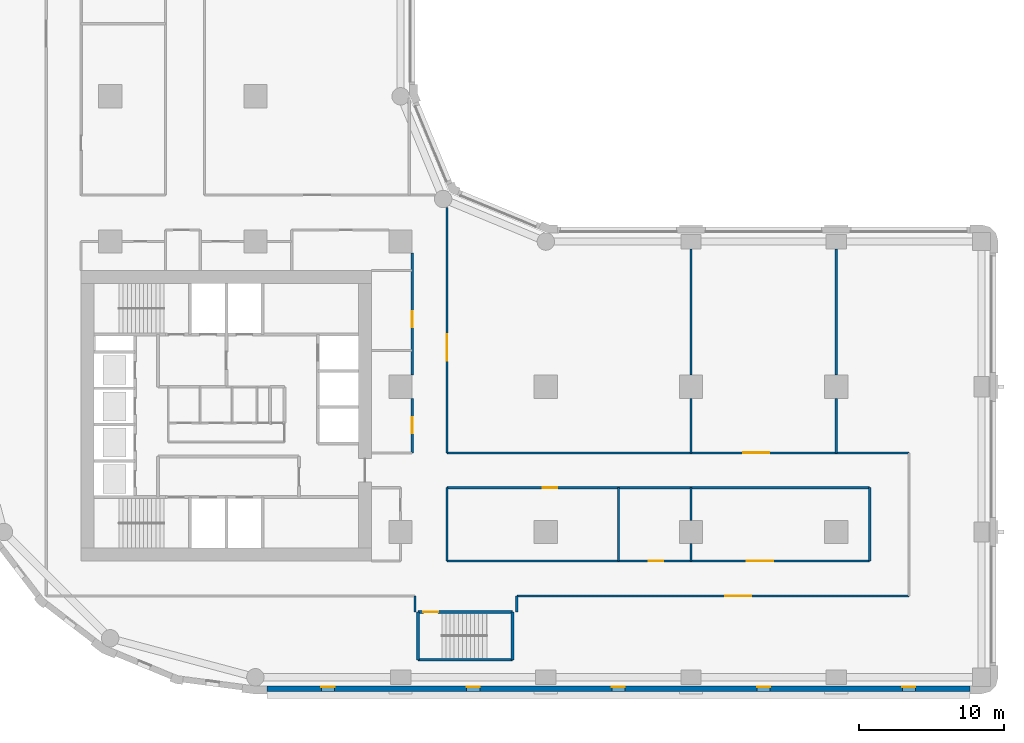
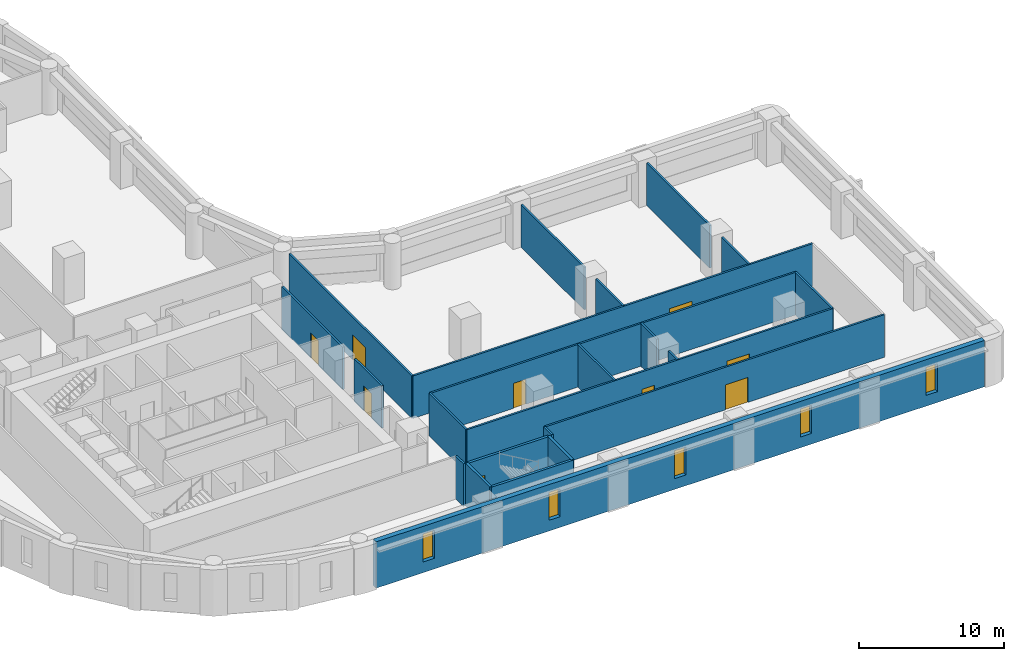
# One storey, part 4 of 10: 23 walls, 9 doors, 5 windows, 14 openings.
"""IFC4 building model written with IfcOpenShell, lengths in metres."""

from ifc_helpers import new_model, si_unit, direction, frame, frame_2d, origin, place, context, subcontext, project, spatial, rectangle, extrude, material, layer, layer_set, type_object, element, fill, save


model = new_model("IFC4")

# Units and contexts
model_context = context("Model", 3, precision=1e-05, world=origin(), true_north=direction((0.0, 1.0)))
body_context = subcontext(model_context, "Body", "Model", "MODEL_VIEW")
ifc_project = project(units=[si_unit("LENGTHUNIT", "METRE"), si_unit("AREAUNIT", "SQUARE_METRE"), si_unit("VOLUMEUNIT", "CUBIC_METRE"), si_unit("PLANEANGLEUNIT", "RADIAN"), si_unit("MASSUNIT", "GRAM", prefix="KILO")], contexts=[model_context])

# Site, building, storey
site_placement = place(None, origin())
site = spatial("IfcSite", under=ifc_project, at=site_placement, CompositionType="ELEMENT")
building_placement = place(site_placement, origin())
building = spatial("IfcBuilding", under=site, at=building_placement, Name="Qaws Garden Tower", CompositionType="ELEMENT")
storey_placement = place(building_placement, frame((0.0, 0.0, 39.300048828125)))
storey = spatial("IfcBuildingStorey", under=building, at=storey_placement, Name="L09", CompositionType="ELEMENT", Elevation=39.300048828125)

# Wall, openings, windows
ifc_material_1 = material(Name="Clay facing brick masonry", Category="masonry")
ifc_layer_1 = layer(ifc_material_1, 0.39990234375)
ifc_layer_set_1 = layer_set([ifc_layer_1], Name="Clay facing brick masonry")
wall_type_1 = type_object("IfcWallType", Name="Brick infill wall 400", PredefinedType="SOLIDWALL", material=ifc_layer_set_1)
wall_1_placement = place(storey_placement, frame((20.800048828125, -0.800048828125, 0.0), z_axis=(0.0, 0.0, 1.0), x_axis=(1.0, 0.0, 0.0)))
wall_1 = element("IfcWall", 1, at=wall_1_placement, inside=storey, type_object=wall_type_1, Name="E-L09-infill-00", PredefinedType="SOLIDWALL", context=body_context, shape_type="SweptSolid", body=[
    extrude(rectangle(XDim=48.39990234375, YDim=0.39990234375, at=frame_2d((24.199951171875, 0.0))), origin(), (0.0, 0.0, 1.0), 3.89990234375),
])
opening_1_placement = place(wall_1_placement, frame((3.75, 0.0, 0.89990234375)))
opening_1 = element("IfcOpeningElement", 2, at=opening_1_placement, cuts=wall_1, Name="Opening W09", PredefinedType="OPENING", context=body_context, shape_type="SweptSolid", body=[
    extrude(rectangle(XDim=0.89990234375, YDim=2.35009765625, at=frame_2d((0.449951171875, 1.175048828125))), frame((0.0, 0.2099609375, 0.0), z_axis=(0.0, -1.0, 0.0), x_axis=(1.0, 0.0, 0.0)), (0.0, 0.0, 1.0), 0.419921875),
])
opening_2_placement = place(wall_1_placement, frame((13.75, 0.0, 0.89990234375)))
opening_2 = element("IfcOpeningElement", 3, at=opening_2_placement, cuts=wall_1, Name="Opening W09", PredefinedType="OPENING", context=body_context, shape_type="SweptSolid", body=[
    extrude(rectangle(XDim=0.89990234375, YDim=2.35009765625, at=frame_2d((0.449951171875, 1.175048828125))), frame((0.0, 0.2099609375, 0.0), z_axis=(0.0, -1.0, 0.0), x_axis=(1.0, 0.0, 0.0)), (0.0, 0.0, 1.0), 0.419921875),
])
opening_3_placement = place(wall_1_placement, frame((23.75, 0.0, 0.89990234375)))
opening_3 = element("IfcOpeningElement", 4, at=opening_3_placement, cuts=wall_1, Name="Opening W09", PredefinedType="OPENING", context=body_context, shape_type="SweptSolid", body=[
    extrude(rectangle(XDim=0.89990234375, YDim=2.35009765625, at=frame_2d((0.449951171875, 1.175048828125))), frame((0.0, 0.2099609375, 0.0), z_axis=(0.0, -1.0, 0.0), x_axis=(1.0, 0.0, 0.0)), (0.0, 0.0, 1.0), 0.419921875),
])
opening_4_placement = place(wall_1_placement, frame((33.75, 0.0, 0.89990234375)))
opening_4 = element("IfcOpeningElement", 5, at=opening_4_placement, cuts=wall_1, Name="Opening W09", PredefinedType="OPENING", context=body_context, shape_type="SweptSolid", body=[
    extrude(rectangle(XDim=0.89990234375, YDim=2.35009765625, at=frame_2d((0.449951171875, 1.175048828125))), frame((0.0, 0.2099609375, 0.0), z_axis=(0.0, -1.0, 0.0), x_axis=(1.0, 0.0, 0.0)), (0.0, 0.0, 1.0), 0.419921875),
])
opening_5_placement = place(wall_1_placement, frame((43.75, 0.0, 0.89990234375)))
opening_5 = element("IfcOpeningElement", 6, at=opening_5_placement, cuts=wall_1, Name="Opening W09", PredefinedType="OPENING", context=body_context, shape_type="SweptSolid", body=[
    extrude(rectangle(XDim=0.89990234375, YDim=2.35009765625, at=frame_2d((0.449951171875, 1.175048828125))), frame((0.0, 0.2099609375, 0.0), z_axis=(0.0, -1.0, 0.0), x_axis=(1.0, 0.0, 0.0)), (0.0, 0.0, 1.0), 0.419921875),
])
ifc_material_2 = material(Name="Aluminium framed window, clear glazing", Category="aluminium")
window_type = type_object("IfcWindowType", Name="Slit window 900 x 2350", PartitioningType="SINGLE_PANEL", PredefinedType="WINDOW", material=ifc_material_2)
window_1_placement = place(opening_1_placement, origin())
window_1 = element("IfcWindow", 7, at=window_1_placement, inside=storey, type_object=window_type, Name="E-L09-window-00-0", OverallHeight=2.35009765625, OverallWidth=0.89990234375, PartitioningType="SINGLE_PANEL", PredefinedType="WINDOW", context=body_context, shape_type="SweptSolid", body=[
    extrude(rectangle(XDim=0.89990234375, YDim=2.35009765625, at=frame_2d((0.449951171875, 1.175048828125))), frame((0.0, 0.159912109375, 0.0), z_axis=(0.0, -1.0, 0.0), x_axis=(1.0, 0.0, 0.0)), (0.0, 0.0, 1.0), 0.06005859375),
])
fill(opening_1, window_1)
window_2_placement = place(opening_2_placement, origin())
window_2 = element("IfcWindow", 8, at=window_2_placement, inside=storey, type_object=window_type, Name="E-L09-window-01-0", OverallHeight=2.35009765625, OverallWidth=0.89990234375, PartitioningType="SINGLE_PANEL", PredefinedType="WINDOW", context=body_context, shape_type="SweptSolid", body=[
    extrude(rectangle(XDim=0.89990234375, YDim=2.35009765625, at=frame_2d((0.449951171875, 1.175048828125))), frame((0.0, 0.159912109375, 0.0), z_axis=(0.0, -1.0, 0.0), x_axis=(1.0, 0.0, 0.0)), (0.0, 0.0, 1.0), 0.06005859375),
])
fill(opening_2, window_2)
window_3_placement = place(opening_3_placement, origin())
window_3 = element("IfcWindow", 9, at=window_3_placement, inside=storey, type_object=window_type, Name="E-L09-window-02-0", OverallHeight=2.35009765625, OverallWidth=0.89990234375, PartitioningType="SINGLE_PANEL", PredefinedType="WINDOW", context=body_context, shape_type="SweptSolid", body=[
    extrude(rectangle(XDim=0.89990234375, YDim=2.35009765625, at=frame_2d((0.449951171875, 1.175048828125))), frame((0.0, 0.159912109375, 0.0), z_axis=(0.0, -1.0, 0.0), x_axis=(1.0, 0.0, 0.0)), (0.0, 0.0, 1.0), 0.06005859375),
])
fill(opening_3, window_3)
window_4_placement = place(opening_4_placement, origin())
window_4 = element("IfcWindow", 10, at=window_4_placement, inside=storey, type_object=window_type, Name="E-L09-window-03-0", OverallHeight=2.35009765625, OverallWidth=0.89990234375, PartitioningType="SINGLE_PANEL", PredefinedType="WINDOW", context=body_context, shape_type="SweptSolid", body=[
    extrude(rectangle(XDim=0.89990234375, YDim=2.35009765625, at=frame_2d((0.449951171875, 1.175048828125))), frame((0.0, 0.159912109375, 0.0), z_axis=(0.0, -1.0, 0.0), x_axis=(1.0, 0.0, 0.0)), (0.0, 0.0, 1.0), 0.06005859375),
])
fill(opening_4, window_4)
window_5_placement = place(opening_5_placement, origin())
window_5 = element("IfcWindow", 11, at=window_5_placement, inside=storey, type_object=window_type, Name="E-L09-window-04-0", OverallHeight=2.35009765625, OverallWidth=0.89990234375, PartitioningType="SINGLE_PANEL", PredefinedType="WINDOW", context=body_context, shape_type="SweptSolid", body=[
    extrude(rectangle(XDim=0.89990234375, YDim=2.35009765625, at=frame_2d((0.449951171875, 1.175048828125))), frame((0.0, 0.159912109375, 0.0), z_axis=(0.0, -1.0, 0.0), x_axis=(1.0, 0.0, 0.0)), (0.0, 0.0, 1.0), 0.06005859375),
])
fill(opening_5, window_5)

# Wall
ifc_material_3 = material(Name="Concrete C80", Category="concrete")
ifc_layer_2 = layer(ifc_material_3, 0.199951171875)
ifc_layer_set_2 = layer_set([ifc_layer_2], Name="Concrete C80")
wall_type_2 = type_object("IfcWallType", Name="Core shaft wall 200 C80", PredefinedType="SHEAR", material=ifc_layer_set_2)
wall_2_placement = place(storey_placement, frame((31.199951171875, 1.199951171875, 0.0), z_axis=(0.0, 0.0, 1.0), x_axis=(1.0, 0.0, 0.0)))
element("IfcWall", 12, at=wall_2_placement, inside=storey, type_object=wall_type_2, Name="Shaft wall", PredefinedType="SHEAR", context=body_context, shape_type="SweptSolid", body=[
    extrude(rectangle(XDim=6.5, YDim=0.199951171875, at=frame_2d((3.25, 0.0))), origin(), (0.0, 0.0, 1.0), 3.579833984375),
])

# Wall, opening, door
wall_3_placement = place(storey_placement, frame((31.199951171875, 4.5, 0.0), z_axis=(0.0, 0.0, 1.0), x_axis=(1.0, 0.0, 0.0)))
wall_3 = element("IfcWall", 13, at=wall_3_placement, inside=storey, type_object=wall_type_2, Name="Shaft wall", PredefinedType="SHEAR", context=body_context, shape_type="SweptSolid", body=[
    extrude(rectangle(XDim=6.5, YDim=0.199951171875, at=frame_2d((3.25, 0.0))), origin(), (0.0, 0.0, 1.0), 3.579833984375),
])
opening_6_placement = place(wall_3_placement, frame((0.375, 0.0, 0.0)))
opening_6 = element("IfcOpeningElement", 14, at=opening_6_placement, cuts=wall_3, Name="Opening SD12", PredefinedType="OPENING", context=body_context, shape_type="SweptSolid", body=[
    extrude(rectangle(XDim=1.0, YDim=2.10009765625, at=frame_2d((0.5, 1.050048828125))), frame((0.0, 0.10986328125, 0.0), z_axis=(0.0, -1.0, 0.0), x_axis=(1.0, 0.0, 0.0)), (0.0, 0.0, 1.0), 0.219970703125),
])
ifc_material_4 = material(Name="Steel S235", Category="steel")
door_type_1 = type_object("IfcDoorType", Name="Stair door 1000x2100", OperationType="SINGLE_SWING_RIGHT", PredefinedType="DOOR", material=ifc_material_4)
door_1_placement = place(opening_6_placement, frame((1.0, 0.0, 0.0), z_axis=(0.0, 0.0, 1.0), x_axis=(-1.0, 0.0, 0.0)))
door_1 = element("IfcDoor", 15, at=door_1_placement, inside=storey, type_object=door_type_1, Name="Stair 5 door", OperationType="SINGLE_SWING_RIGHT", OverallHeight=2.10009765625, OverallWidth=1.0, PredefinedType="DOOR", context=body_context, shape_type="SweptSolid", body=[
    extrude(rectangle(XDim=1.0, YDim=2.10009765625, at=frame_2d((0.5, 1.050048828125))), frame((0.0, 0.02490234375, 0.0), z_axis=(0.0, -1.0, 0.0), x_axis=(1.0, 0.0, 0.0)), (0.0, 0.0, 1.0), 0.050048828125),
])
fill(opening_6, door_1)

# Walls
for number, where, z_axis, x_axis, name in (
    (16, (31.199951171875, 1.199951171875, 0.0), (0.0, 0.0, 1.0), (0.0, 1.0, 0.0), "Shaft wall"),
    (17, (37.699951171875, 1.199951171875, 0.0), (0.0, 0.0, 1.0), (0.0, 1.0, 0.0), "Shaft wall"),
):
    element("IfcWall", number, at=place(storey_placement, frame(where, z_axis=z_axis, x_axis=x_axis)), inside=storey, type_object=wall_type_2, Name=name, PredefinedType="SHEAR", context=body_context, shape_type="SweptSolid", body=[
        extrude(rectangle(XDim=3.300048828125, YDim=0.199951171875, at=frame_2d((1.64990234375, 0.0))), origin(), (0.0, 0.0, 1.0), 3.579833984375),
    ])

# Wall, opening, door
ifc_material_5 = material(Name="Gypsum board partition")
ifc_layer_3 = layer(ifc_material_5, 0.14990234375)
ifc_layer_set_3 = layer_set([ifc_layer_3], Name="Gypsum board partition")
wall_type_3 = type_object("IfcWallType", Name="PARTITION 150 EI 60", PredefinedType="PARTITIONING", material=ifc_layer_set_3)
wall_4_placement = place(storey_placement, frame((30.800048828125, 15.449951171875, 0.0), z_axis=(0.0, 0.0, 1.0), x_axis=(0.0, 1.0, 0.0)))
wall_4 = element("IfcWall", 18, at=wall_4_placement, inside=storey, type_object=wall_type_3, Name="O-L09-wall-016", PredefinedType="PARTITIONING", context=body_context, shape_type="SweptSolid", body=[
    extrude(rectangle(XDim=3.75, YDim=0.14990234375, at=frame_2d((1.875, 0.0))), origin(), (0.0, 0.0, 1.0), 3.579833984375),
])
opening_7_placement = place(wall_4_placement, frame((1.35009765625, 0.0, 0.0)))
opening_7 = element("IfcOpeningElement", 19, at=opening_7_placement, cuts=wall_4, Name="Opening A318", PredefinedType="OPENING", context=body_context, shape_type="SweptSolid", body=[
    extrude(rectangle(XDim=1.10009765625, YDim=2.10009765625, at=frame_2d((0.550048828125, 1.050048828125))), frame((0.0, 0.0849609375, 0.0), z_axis=(0.0, -1.0, 0.0), x_axis=(1.0, 0.0, 0.0)), (0.0, 0.0, 1.0), 0.169921875),
])
ifc_material_6 = material(Name="Timber door leaf", Category="wood")
door_type_2 = type_object("IfcDoorType", Name="SERVICE ROOM DOOR 1100 X 2100", OperationType="SINGLE_SWING_LEFT", PredefinedType="DOOR", material=ifc_material_6)
door_2_placement = place(opening_7_placement, origin())
door_2 = element("IfcDoor", 20, at=door_2_placement, inside=storey, type_object=door_type_2, Name="O-L09-door-018", OperationType="SINGLE_SWING_RIGHT", OverallHeight=2.10009765625, OverallWidth=1.10009765625, PredefinedType="DOOR", context=body_context, shape_type="SweptSolid", body=[
    extrude(rectangle(XDim=1.10009765625, YDim=2.10009765625, at=frame_2d((0.550048828125, 1.050048828125))), frame((0.0, 0.02490234375, 0.0), z_axis=(0.0, -1.0, 0.0), x_axis=(1.0, 0.0, 0.0)), (0.0, 0.0, 1.0), 0.050048828125),
])
fill(opening_7, door_2)

wall_5_placement = place(storey_placement, frame((30.800048828125, 20.800048828125, 0.0), z_axis=(0.0, 0.0, 1.0), x_axis=(0.0, 1.0, 0.0)))
wall_5 = element("IfcWall", 21, at=wall_5_placement, inside=storey, type_object=wall_type_3, Name="O-L09-wall-017", PredefinedType="PARTITIONING", context=body_context, shape_type="SweptSolid", body=[
    extrude(rectangle(XDim=8.39990234375, YDim=0.14990234375, at=frame_2d((4.199951171875, 0.0))), origin(), (0.0, 0.0, 1.0), 3.579833984375),
])
opening_8_placement = place(wall_5_placement, frame((3.300048828125, 0.0, 0.0)))
opening_8 = element("IfcOpeningElement", 22, at=opening_8_placement, cuts=wall_5, Name="Opening A319", PredefinedType="OPENING", context=body_context, shape_type="SweptSolid", body=[
    extrude(rectangle(XDim=1.10009765625, YDim=2.10009765625, at=frame_2d((0.550048828125, 1.050048828125))), frame((0.0, 0.0849609375, 0.0), z_axis=(0.0, -1.0, 0.0), x_axis=(1.0, 0.0, 0.0)), (0.0, 0.0, 1.0), 0.169921875),
])
door_3_placement = place(opening_8_placement, origin())
door_3 = element("IfcDoor", 23, at=door_3_placement, inside=storey, type_object=door_type_2, Name="O-L09-door-019", OperationType="SINGLE_SWING_RIGHT", OverallHeight=2.10009765625, OverallWidth=1.10009765625, PredefinedType="DOOR", context=body_context, shape_type="SweptSolid", body=[
    extrude(rectangle(XDim=1.10009765625, YDim=2.10009765625, at=frame_2d((0.550048828125, 1.050048828125))), frame((0.0, 0.02490234375, 0.0), z_axis=(0.0, -1.0, 0.0), x_axis=(1.0, 0.0, 0.0)), (0.0, 0.0, 1.0), 0.050048828125),
])
fill(opening_8, door_3)

# Walls
wall_6_placement = place(storey_placement, frame((31.0, 4.5, 0.0), z_axis=(0.0, 0.0, 1.0), x_axis=(0.0, 1.0, 0.0)))
element("IfcWall", 24, at=wall_6_placement, inside=storey, type_object=wall_type_3, Name="O-L09-wall-018", PredefinedType="PARTITIONING", context=body_context, shape_type="SweptSolid", body=[
    extrude(rectangle(XDim=1.10009765625, YDim=0.14990234375, at=frame_2d((0.550048828125, 0.0))), origin(), (0.0, 0.0, 1.0), 3.579833984375),
])
wall_7_placement = place(storey_placement, frame((33.199951171875, 8.0, 0.0), z_axis=(0.0, 0.0, 1.0), x_axis=(0.0, 1.0, 0.0)))
element("IfcWall", 25, at=wall_7_placement, inside=storey, type_object=wall_type_3, Name="O-L09-wall-019", PredefinedType="PARTITIONING", context=body_context, shape_type="SweptSolid", body=[
    extrude(rectangle(XDim=5.050048828125, YDim=0.14990234375, at=frame_2d((2.52490234375, 0.0))), origin(), (0.0, 0.0, 1.0), 3.579833984375),
])

# Wall, opening, door
wall_8_placement = place(storey_placement, frame((33.199951171875, 15.449951171875, 0.0), z_axis=(0.0, 0.0, 1.0), x_axis=(0.0, 1.0, 0.0)))
wall_8 = element("IfcWall", 26, at=wall_8_placement, inside=storey, type_object=wall_type_3, Name="O-L09-wall-020", PredefinedType="PARTITIONING", context=body_context, shape_type="SweptSolid", body=[
    extrude(rectangle(XDim=16.912109375, YDim=0.14990234375, at=frame_2d((8.4560546875, 0.0))), origin(), (0.0, 0.0, 1.0), 3.579833984375),
])
opening_9_placement = place(wall_8_placement, frame((6.35009765625, 0.0, 0.0)))
opening_9 = element("IfcOpeningElement", 27, at=opening_9_placement, cuts=wall_8, Name="Opening A315", PredefinedType="OPENING", context=body_context, shape_type="SweptSolid", body=[
    extrude(rectangle(XDim=1.800048828125, YDim=2.10009765625, at=frame_2d((0.89990234375, 1.050048828125))), frame((0.0, 0.0849609375, 0.0), z_axis=(0.0, -1.0, 0.0), x_axis=(1.0, 0.0, 0.0)), (0.0, 0.0, 1.0), 0.169921875),
])
ifc_material_7 = material(Name="Timber door leaf", Category="wood")
door_type_3 = type_object("IfcDoorType", Name="DOUBLE DOOR 1800 X 2100", OperationType="DOUBLE_DOOR_SINGLE_SWING", PredefinedType="DOOR", material=ifc_material_7)
door_4_placement = place(opening_9_placement, frame((1.800048828125, 0.0, 0.0), z_axis=(0.0, 0.0, 1.0), x_axis=(-1.0, 0.0, 0.0)))
door_4 = element("IfcDoor", 28, at=door_4_placement, inside=storey, type_object=door_type_3, Name="O-L09-door-015", OperationType="DOUBLE_DOOR_SINGLE_SWING", OverallHeight=2.10009765625, OverallWidth=1.800048828125, PredefinedType="DOOR", context=body_context, shape_type="SweptSolid", body=[
    extrude(rectangle(XDim=1.800048828125, YDim=2.10009765625, at=frame_2d((0.89990234375, 1.050048828125))), frame((0.0, 0.02490234375, 0.0), z_axis=(0.0, -1.0, 0.0), x_axis=(1.0, 0.0, 0.0)), (0.0, 0.0, 1.0), 0.050048828125),
])
fill(opening_9, door_4)

# Walls
wall_9_placement = place(storey_placement, frame((38.0, 4.5, 0.0), z_axis=(0.0, 0.0, 1.0), x_axis=(0.0, 1.0, 0.0)))
element("IfcWall", 29, at=wall_9_placement, inside=storey, type_object=wall_type_3, Name="O-L09-wall-021", PredefinedType="PARTITIONING", context=body_context, shape_type="SweptSolid", body=[
    extrude(rectangle(XDim=1.10009765625, YDim=0.14990234375, at=frame_2d((0.550048828125, 0.0))), origin(), (0.0, 0.0, 1.0), 3.579833984375),
])
wall_10_placement = place(storey_placement, frame((45.0, 8.0, 0.0), z_axis=(0.0, 0.0, 1.0), x_axis=(0.0, 1.0, 0.0)))
element("IfcWall", 30, at=wall_10_placement, inside=storey, type_object=wall_type_3, Name="O-L09-wall-022", PredefinedType="PARTITIONING", context=body_context, shape_type="SweptSolid", body=[
    extrude(rectangle(XDim=5.050048828125, YDim=0.14990234375, at=frame_2d((2.52490234375, 0.0))), origin(), (0.0, 0.0, 1.0), 3.579833984375),
])
wall_11_placement = place(storey_placement, frame((50.0, 8.0, 0.0), z_axis=(0.0, 0.0, 1.0), x_axis=(0.0, 1.0, 0.0)))
element("IfcWall", 31, at=wall_11_placement, inside=storey, type_object=wall_type_3, Name="O-L09-wall-023", PredefinedType="PARTITIONING", context=body_context, shape_type="SweptSolid", body=[
    extrude(rectangle(XDim=1.199951171875, YDim=0.14990234375, at=frame_2d((0.60009765625, 0.0))), origin(), (0.0, 0.0, 1.0), 3.579833984375),
])
wall_12_placement = place(storey_placement, frame((50.0, 10.800048828125, 0.0), z_axis=(0.0, 0.0, 1.0), x_axis=(0.0, 1.0, 0.0)))
element("IfcWall", 32, at=wall_12_placement, inside=storey, type_object=wall_type_3, Name="O-L09-wall-024", PredefinedType="PARTITIONING", context=body_context, shape_type="SweptSolid", body=[
    extrude(rectangle(XDim=2.25, YDim=0.14990234375, at=frame_2d((1.125, 0.0))), origin(), (0.0, 0.0, 1.0), 3.579833984375),
])
wall_13_placement = place(storey_placement, frame((50.0, 15.449951171875, 0.0), z_axis=(0.0, 0.0, 1.0), x_axis=(0.0, 1.0, 0.0)))
element("IfcWall", 33, at=wall_13_placement, inside=storey, type_object=wall_type_3, Name="O-L09-wall-025", PredefinedType="PARTITIONING", context=body_context, shape_type="SweptSolid", body=[
    extrude(rectangle(XDim=3.75, YDim=0.14990234375, at=frame_2d((1.875, 0.0))), origin(), (0.0, 0.0, 1.0), 3.579833984375),
])
wall_14_placement = place(storey_placement, frame((50.0, 20.800048828125, 0.0), z_axis=(0.0, 0.0, 1.0), x_axis=(0.0, 1.0, 0.0)))
element("IfcWall", 34, at=wall_14_placement, inside=storey, type_object=wall_type_3, Name="O-L09-wall-026", PredefinedType="PARTITIONING", context=body_context, shape_type="SweptSolid", body=[
    extrude(rectangle(XDim=8.699951171875, YDim=0.14990234375, at=frame_2d((4.35009765625, 0.0))), origin(), (0.0, 0.0, 1.0), 3.579833984375),
])
wall_15_placement = place(storey_placement, frame((60.0, 15.449951171875, 0.0), z_axis=(0.0, 0.0, 1.0), x_axis=(0.0, 1.0, 0.0)))
element("IfcWall", 35, at=wall_15_placement, inside=storey, type_object=wall_type_3, Name="O-L09-wall-027", PredefinedType="PARTITIONING", context=body_context, shape_type="SweptSolid", body=[
    extrude(rectangle(XDim=3.75, YDim=0.14990234375, at=frame_2d((1.875, 0.0))), origin(), (0.0, 0.0, 1.0), 3.579833984375),
])
wall_16_placement = place(storey_placement, frame((60.0, 20.800048828125, 0.0), z_axis=(0.0, 0.0, 1.0), x_axis=(0.0, 1.0, 0.0)))
element("IfcWall", 36, at=wall_16_placement, inside=storey, type_object=wall_type_3, Name="O-L09-wall-028", PredefinedType="PARTITIONING", context=body_context, shape_type="SweptSolid", body=[
    extrude(rectangle(XDim=8.699951171875, YDim=0.14990234375, at=frame_2d((4.35009765625, 0.0))), origin(), (0.0, 0.0, 1.0), 3.579833984375),
])
wall_17_placement = place(storey_placement, frame((62.300048828125, 8.0, 0.0), z_axis=(0.0, 0.0, 1.0), x_axis=(0.0, 1.0, 0.0)))
element("IfcWall", 37, at=wall_17_placement, inside=storey, type_object=wall_type_3, Name="O-L09-wall-029", PredefinedType="PARTITIONING", context=body_context, shape_type="SweptSolid", body=[
    extrude(rectangle(XDim=5.050048828125, YDim=0.14990234375, at=frame_2d((2.52490234375, 0.0))), origin(), (0.0, 0.0, 1.0), 3.579833984375),
])

# Wall, opening, door
wall_18_placement = place(storey_placement, frame((38.0, 5.60009765625, 0.0), z_axis=(0.0, 0.0, 1.0), x_axis=(1.0, 0.0, 0.0)))
wall_18 = element("IfcWall", 38, at=wall_18_placement, inside=storey, type_object=wall_type_3, Name="O-L09-wall-032", PredefinedType="PARTITIONING", context=body_context, shape_type="SweptSolid", body=[
    extrude(rectangle(XDim=27.0, YDim=0.14990234375, at=frame_2d((13.5, 0.0))), origin(), (0.0, 0.0, 1.0), 3.579833984375),
])
opening_10_placement = place(wall_18_placement, frame((14.35009765625, 0.0, 0.0)))
opening_10 = element("IfcOpeningElement", 39, at=opening_10_placement, cuts=wall_18, Name="Opening A302", PredefinedType="OPENING", context=body_context, shape_type="SweptSolid", body=[
    extrude(rectangle(XDim=1.800048828125, YDim=2.10009765625, at=frame_2d((0.89990234375, 1.050048828125))), frame((0.0, 0.0849609375, 0.0), z_axis=(0.0, -1.0, 0.0), x_axis=(1.0, 0.0, 0.0)), (0.0, 0.0, 1.0), 0.169921875),
])
door_5_placement = place(opening_10_placement, frame((1.800048828125, 0.0, 0.0), z_axis=(0.0, 0.0, 1.0), x_axis=(-1.0, 0.0, 0.0)))
door_5 = element("IfcDoor", 40, at=door_5_placement, inside=storey, type_object=door_type_3, Name="O-L09-door-002", OperationType="DOUBLE_DOOR_SINGLE_SWING", OverallHeight=2.10009765625, OverallWidth=1.800048828125, PredefinedType="DOOR", context=body_context, shape_type="SweptSolid", body=[
    extrude(rectangle(XDim=1.800048828125, YDim=2.10009765625, at=frame_2d((0.89990234375, 1.050048828125))), frame((0.0, 0.02490234375, 0.0), z_axis=(0.0, -1.0, 0.0), x_axis=(1.0, 0.0, 0.0)), (0.0, 0.0, 1.0), 0.050048828125),
])
fill(opening_10, door_5)

# Wall, openings, doors
wall_19_placement = place(storey_placement, frame((33.199951171875, 8.0, 0.0), z_axis=(0.0, 0.0, 1.0), x_axis=(1.0, 0.0, 0.0)))
wall_19 = element("IfcWall", 41, at=wall_19_placement, inside=storey, type_object=wall_type_3, Name="O-L09-wall-034", PredefinedType="PARTITIONING", context=body_context, shape_type="SweptSolid", body=[
    extrude(rectangle(XDim=29.10009765625, YDim=0.14990234375, at=frame_2d((14.550048828125, 0.0))), origin(), (0.0, 0.0, 1.0), 3.579833984375),
])
opening_11_placement = place(wall_19_placement, frame((13.89990234375, 0.0, 0.0)))
opening_11 = element("IfcOpeningElement", 42, at=opening_11_placement, cuts=wall_19, Name="Opening A313", PredefinedType="OPENING", context=body_context, shape_type="SweptSolid", body=[
    extrude(rectangle(XDim=1.0, YDim=2.10009765625, at=frame_2d((0.5, 1.050048828125))), frame((0.0, 0.0849609375, 0.0), z_axis=(0.0, -1.0, 0.0), x_axis=(1.0, 0.0, 0.0)), (0.0, 0.0, 1.0), 0.169921875),
])
opening_12_placement = place(wall_19_placement, frame((20.64990234375, 0.0, 0.0)))
opening_12 = element("IfcOpeningElement", 43, at=opening_12_placement, cuts=wall_19, Name="Opening A314", PredefinedType="OPENING", context=body_context, shape_type="SweptSolid", body=[
    extrude(rectangle(XDim=1.800048828125, YDim=2.10009765625, at=frame_2d((0.89990234375, 1.050048828125))), frame((0.0, 0.0849609375, 0.0), z_axis=(0.0, -1.0, 0.0), x_axis=(1.0, 0.0, 0.0)), (0.0, 0.0, 1.0), 0.169921875),
])
door_6_placement = place(opening_12_placement, origin())
door_6 = element("IfcDoor", 44, at=door_6_placement, inside=storey, type_object=door_type_3, Name="O-L09-door-014", OperationType="DOUBLE_DOOR_SINGLE_SWING", OverallHeight=2.10009765625, OverallWidth=1.800048828125, PredefinedType="DOOR", context=body_context, shape_type="SweptSolid", body=[
    extrude(rectangle(XDim=1.800048828125, YDim=2.10009765625, at=frame_2d((0.89990234375, 1.050048828125))), frame((0.0, 0.02490234375, 0.0), z_axis=(0.0, -1.0, 0.0), x_axis=(1.0, 0.0, 0.0)), (0.0, 0.0, 1.0), 0.050048828125),
])
fill(opening_12, door_6)
ifc_material_8 = material(Name="Timber door leaf", Category="wood")
door_type_4 = type_object("IfcDoorType", Name="TENANCY ENTRANCE DOOR 1000 X 2100", OperationType="SINGLE_SWING_LEFT", PredefinedType="DOOR", material=ifc_material_8)
door_7_placement = place(opening_11_placement, origin())
door_7 = element("IfcDoor", 45, at=door_7_placement, inside=storey, type_object=door_type_4, Name="O-L09-door-013", OperationType="SINGLE_SWING_LEFT", OverallHeight=2.10009765625, OverallWidth=1.0, PredefinedType="DOOR", context=body_context, shape_type="SweptSolid", body=[
    extrude(rectangle(XDim=1.0, YDim=2.10009765625, at=frame_2d((0.5, 1.050048828125))), frame((0.0, 0.02490234375, 0.0), z_axis=(0.0, -1.0, 0.0), x_axis=(1.0, 0.0, 0.0)), (0.0, 0.0, 1.0), 0.050048828125),
])
fill(opening_11, door_7)

# Wall, opening, door
wall_20_placement = place(storey_placement, frame((33.199951171875, 13.050048828125, 0.0), z_axis=(0.0, 0.0, 1.0), x_axis=(1.0, 0.0, 0.0)))
wall_20 = element("IfcWall", 46, at=wall_20_placement, inside=storey, type_object=wall_type_3, Name="O-L09-wall-036", PredefinedType="PARTITIONING", context=body_context, shape_type="SweptSolid", body=[
    extrude(rectangle(XDim=29.10009765625, YDim=0.14990234375, at=frame_2d((14.550048828125, 0.0))), origin(), (0.0, 0.0, 1.0), 3.579833984375),
])
opening_13_placement = place(wall_20_placement, frame((6.60009765625, 0.0, 0.0)))
opening_13 = element("IfcOpeningElement", 47, at=opening_13_placement, cuts=wall_20, Name="Opening A312", PredefinedType="OPENING", context=body_context, shape_type="SweptSolid", body=[
    extrude(rectangle(XDim=1.0, YDim=2.10009765625, at=frame_2d((0.5, 1.050048828125))), frame((0.0, 0.0849609375, 0.0), z_axis=(0.0, -1.0, 0.0), x_axis=(1.0, 0.0, 0.0)), (0.0, 0.0, 1.0), 0.169921875),
])
door_8_placement = place(opening_13_placement, frame((1.0, 0.0, 0.0), z_axis=(0.0, 0.0, 1.0), x_axis=(-1.0, 0.0, 0.0)))
door_8 = element("IfcDoor", 48, at=door_8_placement, inside=storey, type_object=door_type_4, Name="O-L09-door-012", OperationType="SINGLE_SWING_RIGHT", OverallHeight=2.10009765625, OverallWidth=1.0, PredefinedType="DOOR", context=body_context, shape_type="SweptSolid", body=[
    extrude(rectangle(XDim=1.0, YDim=2.10009765625, at=frame_2d((0.5, 1.050048828125))), frame((0.0, 0.02490234375, 0.0), z_axis=(0.0, -1.0, 0.0), x_axis=(1.0, 0.0, 0.0)), (0.0, 0.0, 1.0), 0.050048828125),
])
fill(opening_13, door_8)

wall_21_placement = place(storey_placement, frame((33.199951171875, 15.449951171875, 0.0), z_axis=(0.0, 0.0, 1.0), x_axis=(1.0, 0.0, 0.0)))
wall_21 = element("IfcWall", 49, at=wall_21_placement, inside=storey, type_object=wall_type_3, Name="O-L09-wall-038", PredefinedType="PARTITIONING", context=body_context, shape_type="SweptSolid", body=[
    extrude(rectangle(XDim=31.800048828125, YDim=0.14990234375, at=frame_2d((15.89990234375, 0.0))), origin(), (0.0, 0.0, 1.0), 3.579833984375),
])
opening_14_placement = place(wall_21_placement, frame((20.39990234375, 0.0, 0.0)))
opening_14 = element("IfcOpeningElement", 50, at=opening_14_placement, cuts=wall_21, Name="Opening A316", PredefinedType="OPENING", context=body_context, shape_type="SweptSolid", body=[
    extrude(rectangle(XDim=1.800048828125, YDim=2.10009765625, at=frame_2d((0.89990234375, 1.050048828125))), frame((0.0, 0.0849609375, 0.0), z_axis=(0.0, -1.0, 0.0), x_axis=(1.0, 0.0, 0.0)), (0.0, 0.0, 1.0), 0.169921875),
])
door_9_placement = place(opening_14_placement, origin())
door_9 = element("IfcDoor", 51, at=door_9_placement, inside=storey, type_object=door_type_3, Name="O-L09-door-016", OperationType="DOUBLE_DOOR_SINGLE_SWING", OverallHeight=2.10009765625, OverallWidth=1.800048828125, PredefinedType="DOOR", context=body_context, shape_type="SweptSolid", body=[
    extrude(rectangle(XDim=1.800048828125, YDim=2.10009765625, at=frame_2d((0.89990234375, 1.050048828125))), frame((0.0, 0.02490234375, 0.0), z_axis=(0.0, -1.0, 0.0), x_axis=(1.0, 0.0, 0.0)), (0.0, 0.0, 1.0), 0.050048828125),
])
fill(opening_14, door_9)

save(model, "model.ifc")
